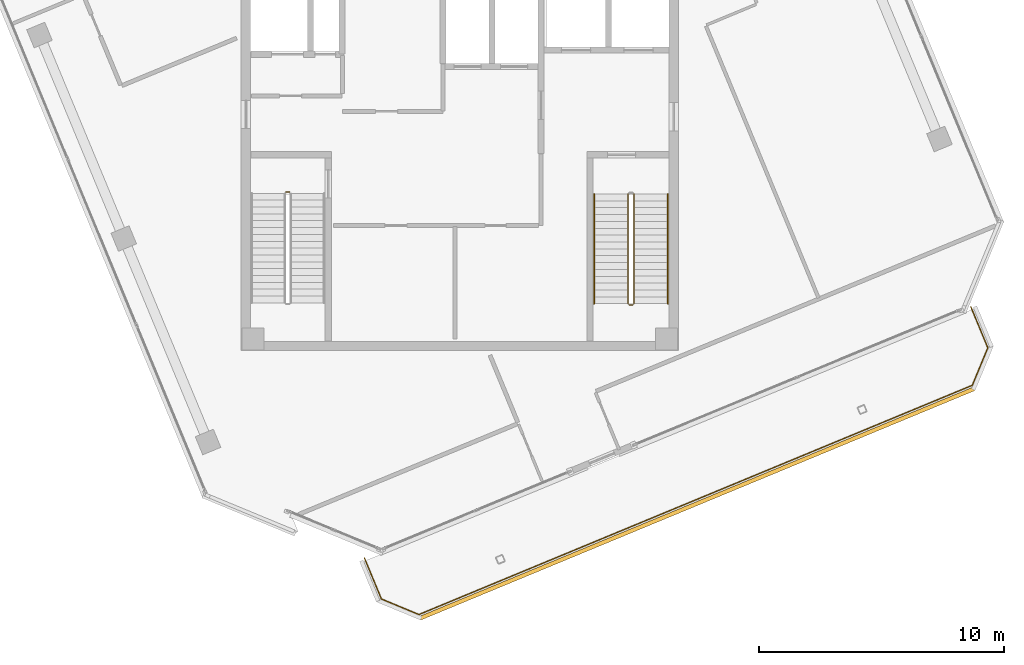
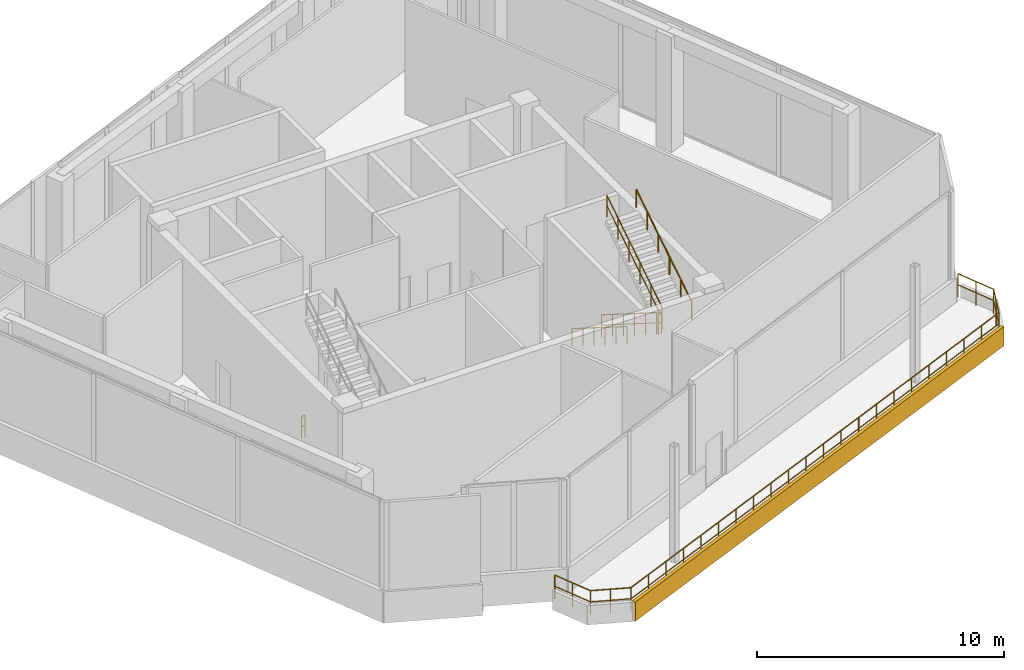
# One storey, part 14 of 16: 7 railings, 1 covering.
"""IFC4 building model written with IfcOpenShell, lengths in metres."""

from ifc_helpers import new_model, si_unit, direction, frame, origin, origin_2d, place, context, subcontext, project, spatial, rectangle, circle, extrude, source, transform, mapped, material, layer, layer_set, type_object, element, save


model = new_model("IFC4")

# Units and contexts
model_context = context("Model", 3, precision=1e-05, world=origin(), true_north=direction((0.0, 1.0)))
body_context = subcontext(model_context, "Body", "Model", "MODEL_VIEW")
ifc_project = project(units=[si_unit("LENGTHUNIT", "METRE"), si_unit("AREAUNIT", "SQUARE_METRE"), si_unit("VOLUMEUNIT", "CUBIC_METRE"), si_unit("PLANEANGLEUNIT", "RADIAN"), si_unit("MASSUNIT", "GRAM", prefix="KILO")], contexts=[model_context])

# Site, building, storey
site_placement = place(None, origin())
site = spatial("IfcSite", under=ifc_project, at=site_placement, CompositionType="ELEMENT")
building_placement = place(site_placement, origin())
building = spatial("IfcBuilding", under=site, at=building_placement, Name="Torre Montelarca", CompositionType="ELEMENT")
storey_placement = place(building_placement, frame((0.0, 0.0, 360.0)))
storey = spatial("IfcBuildingStorey", under=building, at=storey_placement, Name="L81", CompositionType="ELEMENT", Elevation=360.0)

# Railings
ifc_material_1 = material(Name="Powder-coated steel ASTM A500 Grade C", Category="steel")
railing_type_1 = type_object("IfcRailingType", Name="RL-GUARD-1100", PredefinedType="BALUSTRADE", material=ifc_material_1)
railing_1_placement = place(storey_placement, frame((10.89990234375, 30.550048828125, 0.0)))
element("IfcRailing", 1, at=railing_1_placement, inside=storey, type_object=railing_type_1, Name="L81 ST1 stair guard 4", PredefinedType="BALUSTRADE", context=body_context, shape_type="SweptSolid", body=[
    extrude(circle(Radius=0.02392578125, at=origin_2d()), frame((0.0, 0.0, 1.076171875), z_axis=(1.0, 0.0, 0.0), x_axis=(0.0, 1.0, 0.0)), (0.0, 0.0, 1.0), 0.150146484375),
    extrude(circle(Radius=0.02099609375, at=origin_2d()), frame((0.0, 0.0, 0.572021484375), z_axis=(1.0, 0.0, 0.0), x_axis=(0.0, 1.0, 0.0)), (0.0, 0.0, 1.0), 0.150146484375),
    extrude(circle(Radius=0.02099609375, at=origin_2d()), origin(), (0.0, 0.0, 1.0), 1.052001953125),
    extrude(circle(Radius=0.02099609375, at=origin_2d()), frame((0.150146484375, 0.0, 0.0)), (0.0, 0.0, 1.0), 1.052001953125),
])
railing_2_placement = place(storey_placement, frame((24.8701171875, 30.469970703125, 0.176513671875)))
element("IfcRailing", 2, at=railing_2_placement, inside=storey, type_object=railing_type_1, Name="L81 ST2 stair guard 1", PredefinedType="BALUSTRADE", context=body_context, shape_type="SweptSolid", body=[
    extrude(circle(Radius=0.02392578125, at=origin_2d()), frame((0.0, 0.0, 1.076171875), z_axis=(0.0, -0.845997938375, 0.533186166611), x_axis=(1.0, 0.0, 0.0)), (0.0, 0.0, 1.0), 5.29541015625),
    extrude(circle(Radius=0.02099609375, at=origin_2d()), frame((0.0, 0.0, 0.572021484375), z_axis=(0.0, -0.845997938375, 0.533186166611), x_axis=(1.0, 0.0, 0.0)), (0.0, 0.0, 1.0), 5.29541015625),
    extrude(circle(Radius=0.02099609375, at=origin_2d()), origin(), (0.0, 0.0, 1.0), 1.052001953125),
    extrude(circle(Radius=0.02099609375, at=origin_2d()), frame((0.0, -0.89599609375, 0.564697265625)), (0.0, 0.0, 1.0), 1.052001953125),
    extrude(circle(Radius=0.02099609375, at=origin_2d()), frame((0.0, -1.7919921875, 1.12939453125)), (0.0, 0.0, 1.0), 1.052001953125),
    extrude(circle(Radius=0.02099609375, at=origin_2d()), frame((0.0, -2.68798828125, 1.694091796875)), (0.0, 0.0, 1.0), 1.052001953125),
    extrude(circle(Radius=0.02099609375, at=origin_2d()), frame((0.0, -3.583984375, 2.2587890625)), (0.0, 0.0, 1.0), 1.052001953125),
    extrude(circle(Radius=0.02099609375, at=origin_2d()), frame((0.0, -4.47998046875, 2.823486328125)), (0.0, 0.0, 1.0), 1.052001953125),
])
railing_3_placement = place(storey_placement, frame((24.919921875, 25.93994140625, 3.0)))
element("IfcRailing", 3, at=railing_3_placement, inside=storey, type_object=railing_type_1, Name="L81 ST2 stair guard 2", PredefinedType="BALUSTRADE", context=body_context, shape_type="SweptSolid", body=[
    extrude(circle(Radius=0.02392578125, at=origin_2d()), frame((0.0, 0.0, 1.076171875), z_axis=(1.0, 0.0, 0.0), x_axis=(0.0, 1.0, 0.0)), (0.0, 0.0, 1.0), 0.150146484375),
    extrude(circle(Radius=0.02099609375, at=origin_2d()), frame((0.0, 0.0, 0.572021484375), z_axis=(1.0, 0.0, 0.0), x_axis=(0.0, 1.0, 0.0)), (0.0, 0.0, 1.0), 0.150146484375),
    extrude(circle(Radius=0.02099609375, at=origin_2d()), origin(), (0.0, 0.0, 1.0), 1.052001953125),
    extrude(circle(Radius=0.02099609375, at=origin_2d()), frame((0.150146484375, 0.0, 0.0)), (0.0, 0.0, 1.0), 1.052001953125),
])
railing_4_placement = place(storey_placement, frame((25.1201171875, 25.989990234375, 3.176513671875)))
element("IfcRailing", 4, at=railing_4_placement, inside=storey, type_object=railing_type_1, Name="L81 ST2 stair guard 3", PredefinedType="BALUSTRADE", context=body_context, shape_type="SweptSolid", body=[
    extrude(circle(Radius=0.02392578125, at=origin_2d()), frame((0.0, 0.0, 1.076171875), z_axis=(0.0, 0.845997938375, 0.533186166611), x_axis=(-1.0, 0.0, 0.0)), (0.0, 0.0, 1.0), 5.29541015625),
    extrude(circle(Radius=0.02099609375, at=origin_2d()), frame((0.0, 0.0, 0.572021484375), z_axis=(0.0, 0.845997938375, 0.533186166611), x_axis=(-1.0, 0.0, 0.0)), (0.0, 0.0, 1.0), 5.29541015625),
    extrude(circle(Radius=0.02099609375, at=origin_2d()), origin(), (0.0, 0.0, 1.0), 1.052001953125),
    extrude(circle(Radius=0.02099609375, at=origin_2d()), frame((0.0, 0.89599609375, 0.564697265625)), (0.0, 0.0, 1.0), 1.052001953125),
    extrude(circle(Radius=0.02099609375, at=origin_2d()), frame((0.0, 1.7919921875, 1.12939453125)), (0.0, 0.0, 1.0), 1.052001953125),
    extrude(circle(Radius=0.02099609375, at=origin_2d()), frame((0.0, 2.68798828125, 1.694091796875)), (0.0, 0.0, 1.0), 1.052001953125),
    extrude(circle(Radius=0.02099609375, at=origin_2d()), frame((0.0, 3.583984375, 2.2587890625)), (0.0, 0.0, 1.0), 1.052001953125),
    extrude(circle(Radius=0.02099609375, at=origin_2d()), frame((0.0, 4.47998046875, 2.823486328125)), (0.0, 0.0, 1.0), 1.052001953125),
])
ifc_material_2 = material(Name="Brushed stainless steel AISI 316", Category="steel")
railing_type_2 = type_object("IfcRailingType", Name="RL-HANDRAIL-900", PredefinedType="HANDRAIL", material=ifc_material_2)
railing_5_placement = place(storey_placement, frame((23.489990234375, 30.469970703125, 0.176513671875)))
element("IfcRailing", 5, at=railing_5_placement, inside=storey, type_object=railing_type_2, Name="L81 ST2 stair handrail 1", PredefinedType="HANDRAIL", context=body_context, shape_type="SweptSolid", body=[
    extrude(circle(Radius=0.02392578125, at=origin_2d()), frame((0.0, 0.0, 0.8759765625), z_axis=(0.0, -0.845997938375, 0.533186166611), x_axis=(1.0, 0.0, 0.0)), (0.0, 0.0, 1.0), 5.29541015625),
    extrude(circle(Radius=0.02099609375, at=origin_2d()), origin(), (0.0, 0.0, 1.0), 0.851806640625),
    extrude(circle(Radius=0.02099609375, at=origin_2d()), frame((0.0, -0.89599609375, 0.564697265625)), (0.0, 0.0, 1.0), 0.851806640625),
    extrude(circle(Radius=0.02099609375, at=origin_2d()), frame((0.0, -1.7919921875, 1.12939453125)), (0.0, 0.0, 1.0), 0.851806640625),
    extrude(circle(Radius=0.02099609375, at=origin_2d()), frame((0.0, -2.68798828125, 1.694091796875)), (0.0, 0.0, 1.0), 0.851806640625),
    extrude(circle(Radius=0.02099609375, at=origin_2d()), frame((0.0, -3.583984375, 2.2587890625)), (0.0, 0.0, 1.0), 0.851806640625),
    extrude(circle(Radius=0.02099609375, at=origin_2d()), frame((0.0, -4.47998046875, 2.823486328125)), (0.0, 0.0, 1.0), 0.851806640625),
])
railing_6_placement = place(storey_placement, frame((26.5, 25.989990234375, 3.176513671875)))
element("IfcRailing", 6, at=railing_6_placement, inside=storey, type_object=railing_type_2, Name="L81 ST2 stair handrail 2", PredefinedType="HANDRAIL", context=body_context, shape_type="SweptSolid", body=[
    extrude(circle(Radius=0.02392578125, at=origin_2d()), frame((0.0, 0.0, 0.8759765625), z_axis=(0.0, 0.845997938375, 0.533186166611), x_axis=(-1.0, 0.0, 0.0)), (0.0, 0.0, 1.0), 5.29541015625),
    extrude(circle(Radius=0.02099609375, at=origin_2d()), origin(), (0.0, 0.0, 1.0), 0.851806640625),
    extrude(circle(Radius=0.02099609375, at=origin_2d()), frame((0.0, 0.89599609375, 0.564697265625)), (0.0, 0.0, 1.0), 0.851806640625),
    extrude(circle(Radius=0.02099609375, at=origin_2d()), frame((0.0, 1.7919921875, 1.12939453125)), (0.0, 0.0, 1.0), 0.851806640625),
    extrude(circle(Radius=0.02099609375, at=origin_2d()), frame((0.0, 2.68798828125, 1.694091796875)), (0.0, 0.0, 1.0), 0.851806640625),
    extrude(circle(Radius=0.02099609375, at=origin_2d()), frame((0.0, 3.583984375, 2.2587890625)), (0.0, 0.0, 1.0), 0.851806640625),
    extrude(circle(Radius=0.02099609375, at=origin_2d()), frame((0.0, 4.47998046875, 2.823486328125)), (0.0, 0.0, 1.0), 0.851806640625),
])
ifc_material_3 = material(Name="Stainless steel AISI 316 and laminated glass", Category="steel")
railing_type_3 = type_object("IfcRailingType", Name="RL-OBS-GUARD-1200", PredefinedType="BALUSTRADE", material=ifc_material_3)
railing_7_placement = place(storey_placement, frame((14.1025390625, 15.600830078125, 0.0)))
element("IfcRailing", 7, at=railing_7_placement, inside=storey, type_object=railing_type_3, Name="L81 Outdoor Terrace Balustrade Guard RL-L81-TER-01", PredefinedType="BALUSTRADE", context=body_context, shape_type="SweptSolid", body=[
    extrude(circle(Radius=0.02392578125, at=origin_2d()), frame((0.0, 0.0, 1.17578125), z_axis=(0.382735413743, -0.923857999406, 0.0), x_axis=(0.923857999406, 0.382735413743, 0.0)), (0.0, 0.0, 1.0), 1.8173828125),
    extrude(circle(Radius=0.02099609375, at=origin_2d()), frame((0.0, 0.0, 0.6240234375), z_axis=(0.382735413743, -0.923857999406, 0.0), x_axis=(0.923857999406, 0.382735413743, 0.0)), (0.0, 0.0, 1.0), 1.8173828125),
    extrude(circle(Radius=0.02392578125, at=origin_2d()), frame((0.695556640625, -1.678955078125, 1.17578125), z_axis=(0.923858937936, -0.382733148285, 0.0), x_axis=(0.382733148285, 0.923858937936, 0.0)), (0.0, 0.0, 1.0), 1.658447265625),
    extrude(circle(Radius=0.02099609375, at=origin_2d()), frame((0.695556640625, -1.678955078125, 0.6240234375), z_axis=(0.923858937936, -0.382733148285, 0.0), x_axis=(0.382733148285, 0.923858937936, 0.0)), (0.0, 0.0, 1.0), 1.658447265625),
    extrude(circle(Radius=0.02392578125, at=origin_2d()), frame((2.227783203125, -2.313720703125, 1.17578125), z_axis=(0.923876772804, 0.382690094819, 0.0), x_axis=(-0.382690094819, 0.923876772804, 0.0)), (0.0, 0.0, 1.0), 24.474609375),
    extrude(circle(Radius=0.02099609375, at=origin_2d()), frame((2.227783203125, -2.313720703125, 0.6240234375), z_axis=(0.923876772804, 0.382690094819, 0.0), x_axis=(-0.382690094819, 0.923876772804, 0.0)), (0.0, 0.0, 1.0), 24.474609375),
    extrude(circle(Radius=0.02392578125, at=origin_2d()), frame((24.83935546875, 7.052490234375, 1.17578125), z_axis=(0.382659541587, 0.923889428034, 0.0), x_axis=(-0.923889428034, 0.382659541587, 0.0)), (0.0, 0.0, 1.0), 1.658203125),
    extrude(circle(Radius=0.02099609375, at=origin_2d()), frame((24.83935546875, 7.052490234375, 0.6240234375), z_axis=(0.382659541587, 0.923889428034, 0.0), x_axis=(-0.923889428034, 0.382659541587, 0.0)), (0.0, 0.0, 1.0), 1.658203125),
    extrude(circle(Radius=0.02392578125, at=origin_2d()), frame((25.473876953125, 8.58447265625, 1.17578125), z_axis=(-0.382573256594, 0.923925161114, 0.0), x_axis=(-0.923925161114, -0.382573256594, 0.0)), (0.0, 0.0, 1.0), 1.8173828125),
    extrude(circle(Radius=0.02099609375, at=origin_2d()), frame((25.473876953125, 8.58447265625, 0.6240234375), z_axis=(-0.382573256594, 0.923925161114, 0.0), x_axis=(-0.923925161114, -0.382573256594, 0.0)), (0.0, 0.0, 1.0), 1.8173828125),
    extrude(circle(Radius=0.02099609375, at=origin_2d()), origin(), (0.0, 0.0, 1.0), 1.15185546875),
    extrude(circle(Radius=0.02099609375, at=origin_2d()), frame((0.34765625, -0.83935546875, 0.0)), (0.0, 0.0, 1.0), 1.15185546875),
    extrude(circle(Radius=0.02099609375, at=origin_2d()), frame((0.695556640625, -1.678955078125, 0.0)), (0.0, 0.0, 1.0), 1.15185546875),
    extrude(circle(Radius=0.02099609375, at=origin_2d()), frame((1.461669921875, -1.996337890625, 0.0)), (0.0, 0.0, 1.0), 1.15185546875),
    extrude(circle(Radius=0.02099609375, at=origin_2d()), frame((2.227783203125, -2.313720703125, 0.0)), (0.0, 0.0, 1.0), 1.15185546875),
    extrude(circle(Radius=0.02099609375, at=origin_2d()), frame((3.304443359375, -1.86767578125, 0.0)), (0.0, 0.0, 1.0), 1.15185546875),
    extrude(circle(Radius=0.02099609375, at=origin_2d()), frame((4.38134765625, -1.421630859375, 0.0)), (0.0, 0.0, 1.0), 1.15185546875),
    extrude(circle(Radius=0.02099609375, at=origin_2d()), frame((5.4580078125, -0.9755859375, 0.0)), (0.0, 0.0, 1.0), 1.15185546875),
    extrude(circle(Radius=0.02099609375, at=origin_2d()), frame((6.53466796875, -0.52978515625, 0.0)), (0.0, 0.0, 1.0), 1.15185546875),
    extrude(circle(Radius=0.02099609375, at=origin_2d()), frame((7.611572265625, -0.083740234375, 0.0)), (0.0, 0.0, 1.0), 1.15185546875),
    extrude(circle(Radius=0.02099609375, at=origin_2d()), frame((8.688232421875, 0.3623046875, 0.0)), (0.0, 0.0, 1.0), 1.15185546875),
    extrude(circle(Radius=0.02099609375, at=origin_2d()), frame((9.764892578125, 0.808349609375, 0.0)), (0.0, 0.0, 1.0), 1.15185546875),
    extrude(circle(Radius=0.02099609375, at=origin_2d()), frame((10.841796875, 1.25439453125, 0.0)), (0.0, 0.0, 1.0), 1.15185546875),
    extrude(circle(Radius=0.02099609375, at=origin_2d()), frame((11.91845703125, 1.700439453125, 0.0)), (0.0, 0.0, 1.0), 1.15185546875),
    extrude(circle(Radius=0.02099609375, at=origin_2d()), frame((12.9951171875, 2.146484375, 0.0)), (0.0, 0.0, 1.0), 1.15185546875),
    extrude(circle(Radius=0.02099609375, at=origin_2d()), frame((14.072021484375, 2.59228515625, 0.0)), (0.0, 0.0, 1.0), 1.15185546875),
    extrude(circle(Radius=0.02099609375, at=origin_2d()), frame((15.148681640625, 3.038330078125, 0.0)), (0.0, 0.0, 1.0), 1.15185546875),
    extrude(circle(Radius=0.02099609375, at=origin_2d()), frame((16.225341796875, 3.484375, 0.0)), (0.0, 0.0, 1.0), 1.15185546875),
    extrude(circle(Radius=0.02099609375, at=origin_2d()), frame((17.30224609375, 3.930419921875, 0.0)), (0.0, 0.0, 1.0), 1.15185546875),
    extrude(circle(Radius=0.02099609375, at=origin_2d()), frame((18.37890625, 4.37646484375, 0.0)), (0.0, 0.0, 1.0), 1.15185546875),
    extrude(circle(Radius=0.02099609375, at=origin_2d()), frame((19.45556640625, 4.822509765625, 0.0)), (0.0, 0.0, 1.0), 1.15185546875),
    extrude(circle(Radius=0.02099609375, at=origin_2d()), frame((20.532470703125, 5.2685546875, 0.0)), (0.0, 0.0, 1.0), 1.15185546875),
    extrude(circle(Radius=0.02099609375, at=origin_2d()), frame((21.609130859375, 5.71435546875, 0.0)), (0.0, 0.0, 1.0), 1.15185546875),
    extrude(circle(Radius=0.02099609375, at=origin_2d()), frame((22.685791015625, 6.160400390625, 0.0)), (0.0, 0.0, 1.0), 1.15185546875),
    extrude(circle(Radius=0.02099609375, at=origin_2d()), frame((23.7626953125, 6.6064453125, 0.0)), (0.0, 0.0, 1.0), 1.15185546875),
    extrude(circle(Radius=0.02099609375, at=origin_2d()), frame((24.83935546875, 7.052490234375, 0.0)), (0.0, 0.0, 1.0), 1.15185546875),
    extrude(circle(Radius=0.02099609375, at=origin_2d()), frame((25.15673828125, 7.818359375, 0.0)), (0.0, 0.0, 1.0), 1.15185546875),
    extrude(circle(Radius=0.02099609375, at=origin_2d()), frame((25.473876953125, 8.58447265625, 0.0)), (0.0, 0.0, 1.0), 1.15185546875),
    extrude(circle(Radius=0.02099609375, at=origin_2d()), frame((25.126220703125, 9.424072265625, 0.0)), (0.0, 0.0, 1.0), 1.15185546875),
    extrude(circle(Radius=0.02099609375, at=origin_2d()), frame((24.778564453125, 10.263671875, 0.0)), (0.0, 0.0, 1.0), 1.15185546875),
])

# Covering
ifc_material_4 = material(Name="Bush-hammered warm white precast concrete C45/55", Category="concrete")
ifc_layer = layer(ifc_material_4, 0.139892578125, Name="Bush-hammered warm white precast concrete C45/55", Category="concrete")
ifc_layer_set = layer_set([ifc_layer], Name="Bush-hammered warm white precast concrete C45/55")
covering_type = type_object("IfcCoveringType", Name="COV-TRAY-CLAD", PredefinedType="CLADDING", material=ifc_layer_set)
shared_shape = source(origin(), body_context, "Body", "SweptSolid", [
    extrude(rectangle(XDim=24.52001953125, YDim=0.159912109375, at=origin_2d()), origin(), (0.0, 0.0, 1.0), 0.949951171875),
])
covering_placement = place(storey_placement, frame((27.697265625, 17.822509765625, -0.375), z_axis=(0.0, 0.0, 1.0), x_axis=(0.923878864601, 0.382685044838, 0.0)))
element("IfcCovering", 8, at=covering_placement, inside=storey, type_object=covering_type, Name="L81 Architectural White Spandrel Tray Band OBSTER1-03", PredefinedType="CLADDING", context=body_context, shape_type="MappedRepresentation", body=[
    mapped(shared_shape, transform((0.0, 0.0, 0.0), scale=1.0)),
])

save(model, "model.ifc")
